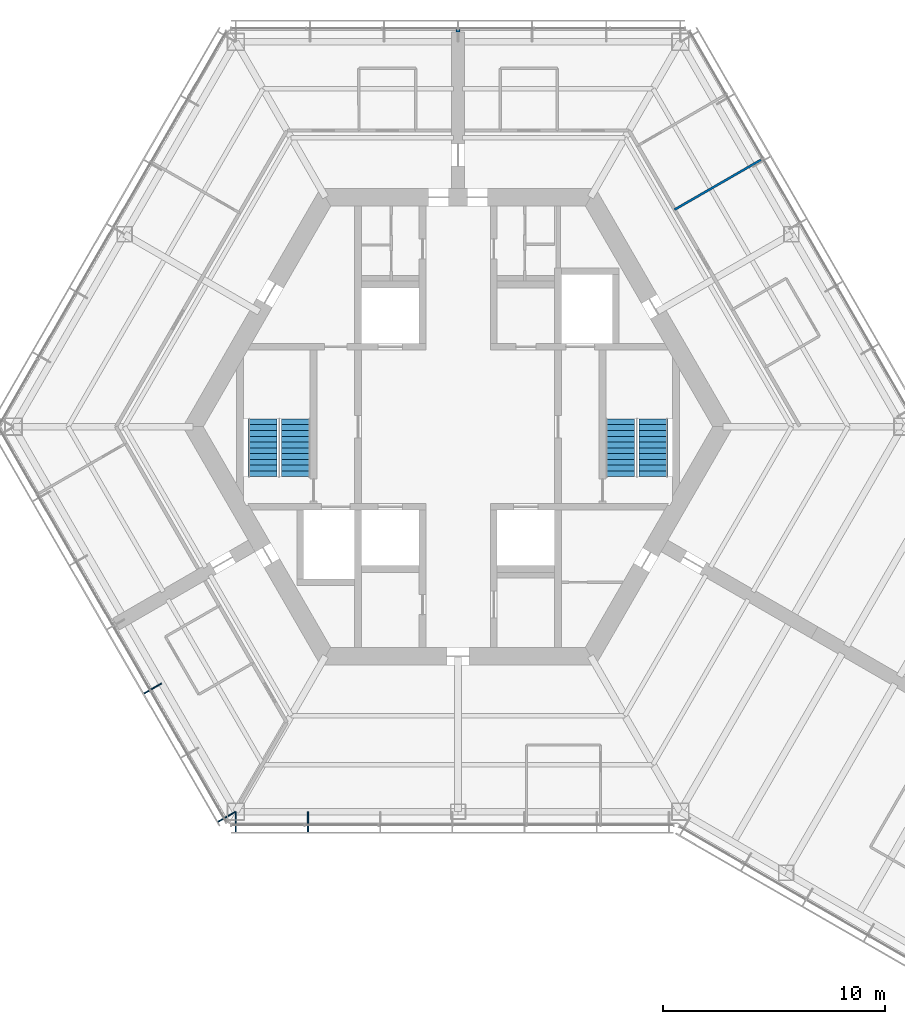
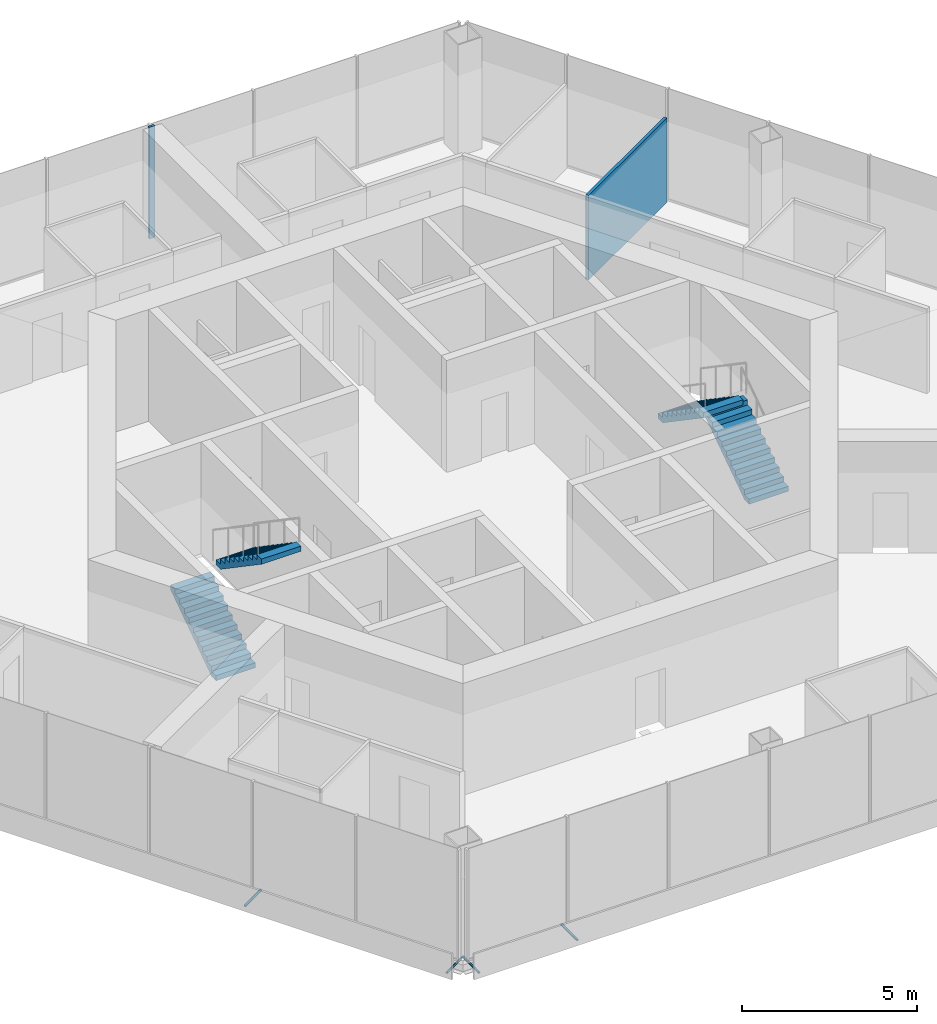
# One storey, part 13 of 15: 4 discrete accessories, 4 stair flights, 2 walls, 2 elements without a shape of their own.
"""IFC4 building model written with IfcOpenShell, lengths in metres."""

from ifc_helpers import new_model, si_unit, direction, frame, frame_2d, origin, origin_2d, place, context, subcontext, project, spatial, polyline, rectangle, hollow_circle, outline, extrude, material, layer, layer_set, material_profile, profile_set, type_object, element, aggregate, save


model = new_model("IFC4")

# Units and contexts
model_context = context("Model", 3, precision=1e-05, world=origin(), true_north=direction((0.0, 1.0)))
body_context = subcontext(model_context, "Body", "Model", "MODEL_VIEW")
ifc_project = project(units=[si_unit("LENGTHUNIT", "METRE"), si_unit("AREAUNIT", "SQUARE_METRE"), si_unit("VOLUMEUNIT", "CUBIC_METRE"), si_unit("PLANEANGLEUNIT", "RADIAN"), si_unit("MASSUNIT", "GRAM", prefix="KILO")], contexts=[model_context])

# Site, building, storey
site_placement = place(None, origin())
site = spatial("IfcSite", under=ifc_project, at=site_placement, CompositionType="ELEMENT")
building_placement = place(site_placement, origin())
building = spatial("IfcBuilding", under=site, at=building_placement, Name="Kasaneha Research Tower", CompositionType="ELEMENT")
storey_placement = place(building_placement, frame((0.0, 0.0, 244.0)))
storey = spatial("IfcBuildingStorey", under=building, at=storey_placement, Name="L61", CompositionType="ELEMENT", Elevation=244.0)

# Walls
ifc_material_1 = material(Name="Gypsum board on steel studs, one layer each side", Category="steel")
ifc_layer_1 = layer(ifc_material_1, 0.10009765625)
ifc_layer_set_1 = layer_set([ifc_layer_1], Name="Office partition 100")
wall_type_1 = type_object("IfcWallType", Name="Office partition 100", PredefinedType="PARTITIONING", material=ifc_layer_set_1)
wall_1_placement = place(storey_placement, frame((13.623291015625, 12.00439453125, 0.0), z_axis=(0.0, 0.0, 1.0), x_axis=(-0.866535947524, -0.499114667835, 0.0)))
element("IfcWall", 1, at=wall_1_placement, inside=storey, type_object=wall_type_1, Name="Office partition FAE15 L61", PredefinedType="PARTITIONING", context=body_context, shape_type="SweptSolid", body=[
    extrude(rectangle(XDim=4.47509765625, YDim=0.10009765625, at=frame_2d((2.237548828125, 0.0))), origin(), (0.0, 0.0, 1.0), 2.949951171875),
])
ifc_material_2 = material(Name="Gypsum board on steel studs, two layers each side", Category="steel")
ifc_layer_2 = layer(ifc_material_2, 0.175048828125)
ifc_layer_set_2 = layer_set([ifc_layer_2], Name="Tenancy fire partition 175")
wall_type_2 = type_object("IfcWallType", Name="Tenancy fire partition 175", PredefinedType="PARTITIONING", material=ifc_layer_set_2)
wall_2_placement = place(storey_placement, frame((0.0, 17.7705078125, 0.0), z_axis=(0.0, 0.0, 1.0), x_axis=(0.0, 1.0, 0.0)))
element("IfcWall", 2, at=wall_2_placement, inside=storey, type_object=wall_type_2, Name="Spine wall closer SW4-600 L61", PredefinedType="PARTITIONING", context=body_context, shape_type="SweptSolid", body=[
    extrude(rectangle(XDim=0.0849609375, YDim=0.175048828125, at=frame_2d((0.04248046875, 0.0))), origin(), (0.0, 0.0, 1.0), 3.89990234375),
])

# Stair, stair flights
ifc_material_3 = material(Name="Concrete Fc24", Category="concrete")
stair_type = type_object("IfcStairType", Name="Half-turn stair 22 risers", PredefinedType="HALF_TURN_STAIR", material=ifc_material_3)
stair_1_placement = place(storey_placement, origin())
stair_1 = element("IfcStair", 3, at=stair_1_placement, inside=storey, type_object=stair_type, Name="Stair 1 L61", PredefinedType="HALF_TURN_STAIR")
ifc_material_4 = material(Name="Concrete Fc24", Category="concrete")
stair_flight_type = type_object("IfcStairFlightType", Name="Stair flight 11 risers 177.3", PredefinedType="STRAIGHT", material=ifc_material_4)
stair_flight_1_placement = place(storey_placement, frame((8.800048828125, -2.25, 0.0), z_axis=(0.0, 0.0, 1.0), x_axis=(0.0, 1.0, 0.0)))
stair_flight_1 = element("IfcStairFlight", 4, at=stair_flight_1_placement, type_object=stair_flight_type, Name="ST1-22R flight 1", NumberOfRisers=11, NumberOfTreads=10, PredefinedType="STRAIGHT", RiserHeight=0.177272727, TreadLength=0.26, context=body_context, shape_type="SweptSolid", body=[
    extrude(outline(polyline([(0.0, 0.0), (0.0, 0.17724609375), (0.260009765625, 0.17724609375), (0.260009765625, 0.3544921875), (0.52001953125, 0.3544921875), (0.52001953125, 0.53173828125), (0.780029296875, 0.53173828125), (0.780029296875, 0.708984375), (1.0400390625, 0.708984375), (1.0400390625, 0.886474609375), (1.300048828125, 0.886474609375), (1.300048828125, 1.063720703125), (1.56005859375, 1.063720703125), (1.56005859375, 1.240966796875), (1.820068359375, 1.240966796875), (1.820068359375, 1.418212890625), (2.080078125, 1.418212890625), (2.080078125, 1.595458984375), (2.340087890625, 1.595458984375), (2.340087890625, 1.772705078125), (2.60009765625, 1.772705078125), (2.60009765625, 1.949951171875), (2.60009765625, 1.59130859375), (0.26611328125, 0.0), (0.0, 0.0)])), frame((0.0, 0.64990234375, 0.0), z_axis=(0.0, -1.0, 0.0), x_axis=(1.0, 0.0, 0.0)), (0.0, 0.0, 1.0), 1.300048828125),
])
stair_flight_2_placement = place(storey_placement, frame((7.300048828125, 0.35009765625, 1.949951171875), z_axis=(0.0, 0.0, 1.0), x_axis=(0.0, -1.0, 0.0)))
stair_flight_2 = element("IfcStairFlight", 5, at=stair_flight_2_placement, type_object=stair_flight_type, Name="ST1-22R flight 2", NumberOfRisers=11, NumberOfTreads=10, PredefinedType="STRAIGHT", RiserHeight=0.177272727, TreadLength=0.26, context=body_context, shape_type="SweptSolid", body=[
    extrude(outline(polyline([(0.0, 0.0), (0.0, 0.17724609375), (0.260009765625, 0.17724609375), (0.260009765625, 0.3544921875), (0.52001953125, 0.3544921875), (0.52001953125, 0.53173828125), (0.780029296875, 0.53173828125), (0.780029296875, 0.708984375), (1.0400390625, 0.708984375), (1.0400390625, 0.886474609375), (1.300048828125, 0.886474609375), (1.300048828125, 1.063720703125), (1.56005859375, 1.063720703125), (1.56005859375, 1.240966796875), (1.820068359375, 1.240966796875), (1.820068359375, 1.418212890625), (2.080078125, 1.418212890625), (2.080078125, 1.595458984375), (2.340087890625, 1.595458984375), (2.340087890625, 1.772705078125), (2.60009765625, 1.772705078125), (2.60009765625, 1.949951171875), (2.60009765625, 1.59130859375), (0.26611328125, 0.0), (0.0, 0.0)])), frame((0.0, 0.64990234375, 0.0), z_axis=(0.0, -1.0, 0.0), x_axis=(1.0, 0.0, 0.0)), (0.0, 0.0, 1.0), 1.300048828125),
])
aggregate(stair_1, [stair_flight_1, stair_flight_2])

stair_2_placement = place(storey_placement, origin())
stair_2 = element("IfcStair", 6, at=stair_2_placement, inside=storey, type_object=stair_type, Name="Stair 2 L61", PredefinedType="HALF_TURN_STAIR")
stair_flight_3_placement = place(storey_placement, frame((-8.800048828125, -2.25, 0.0), z_axis=(0.0, 0.0, 1.0), x_axis=(0.0, 1.0, 0.0)))
stair_flight_3 = element("IfcStairFlight", 7, at=stair_flight_3_placement, type_object=stair_flight_type, Name="ST2-22R flight 1", NumberOfRisers=11, NumberOfTreads=10, PredefinedType="STRAIGHT", RiserHeight=0.177272727, TreadLength=0.26, context=body_context, shape_type="SweptSolid", body=[
    extrude(outline(polyline([(0.0, 0.0), (0.0, 0.17724609375), (0.260009765625, 0.17724609375), (0.260009765625, 0.3544921875), (0.52001953125, 0.3544921875), (0.52001953125, 0.53173828125), (0.780029296875, 0.53173828125), (0.780029296875, 0.708984375), (1.0400390625, 0.708984375), (1.0400390625, 0.886474609375), (1.300048828125, 0.886474609375), (1.300048828125, 1.063720703125), (1.56005859375, 1.063720703125), (1.56005859375, 1.240966796875), (1.820068359375, 1.240966796875), (1.820068359375, 1.418212890625), (2.080078125, 1.418212890625), (2.080078125, 1.595458984375), (2.340087890625, 1.595458984375), (2.340087890625, 1.772705078125), (2.60009765625, 1.772705078125), (2.60009765625, 1.949951171875), (2.60009765625, 1.59130859375), (0.26611328125, 0.0), (0.0, 0.0)])), frame((0.0, 0.64990234375, 0.0), z_axis=(0.0, -1.0, 0.0), x_axis=(1.0, 0.0, 0.0)), (0.0, 0.0, 1.0), 1.300048828125),
])
stair_flight_4_placement = place(storey_placement, frame((-7.300048828125, 0.35009765625, 1.949951171875), z_axis=(0.0, 0.0, 1.0), x_axis=(0.0, -1.0, 0.0)))
stair_flight_4 = element("IfcStairFlight", 8, at=stair_flight_4_placement, type_object=stair_flight_type, Name="ST2-22R flight 2", NumberOfRisers=11, NumberOfTreads=10, PredefinedType="STRAIGHT", RiserHeight=0.177272727, TreadLength=0.26, context=body_context, shape_type="SweptSolid", body=[
    extrude(outline(polyline([(0.0, 0.0), (0.0, 0.17724609375), (0.260009765625, 0.17724609375), (0.260009765625, 0.3544921875), (0.52001953125, 0.3544921875), (0.52001953125, 0.53173828125), (0.780029296875, 0.53173828125), (0.780029296875, 0.708984375), (1.0400390625, 0.708984375), (1.0400390625, 0.886474609375), (1.300048828125, 0.886474609375), (1.300048828125, 1.063720703125), (1.56005859375, 1.063720703125), (1.56005859375, 1.240966796875), (1.820068359375, 1.240966796875), (1.820068359375, 1.418212890625), (2.080078125, 1.418212890625), (2.080078125, 1.595458984375), (2.340087890625, 1.595458984375), (2.340087890625, 1.772705078125), (2.60009765625, 1.772705078125), (2.60009765625, 1.949951171875), (2.60009765625, 1.59130859375), (0.26611328125, 0.0), (0.0, 0.0)])), frame((0.0, 0.64990234375, 0.0), z_axis=(0.0, -1.0, 0.0), x_axis=(1.0, 0.0, 0.0)), (0.0, 0.0, 1.0), 1.300048828125),
])
aggregate(stair_2, [stair_flight_3, stair_flight_4])

# Discrete accessories
ifc_material_5 = material(Name="Steel STK400", Category="steel")
ifc_material_profile = material_profile(ifc_material_5, hollow_circle(Radius=0.0380859375, WallThickness=0.00390625, at=origin_2d()), Name="CHS-76.3x4.0")
ifc_profile_set = profile_set([ifc_material_profile], Name="Steel STK400")
discrete_accessory_type = type_object("IfcDiscreteAccessoryType", Name="Screen bracket CHS-76.3x4.0", PredefinedType="BRACKET", material=ifc_profile_set)
discrete_accessory_1_placement = place(storey_placement, frame((-13.333984375, -11.5458984375, -0.300048828125), z_axis=(-0.866013213425, -0.500021113727, 0.0), x_axis=(0.500021113727, -0.866013213425, 0.0)))
element("IfcDiscreteAccessory", 9, at=discrete_accessory_1_placement, inside=storey, type_object=discrete_accessory_type, Name="Screen bracket 5", PredefinedType="BRACKET", context=body_context, shape_type="SweptSolid", body=[
    extrude(hollow_circle(Radius=0.0380859375, WallThickness=0.00390625, at=origin_2d()), origin(), (0.0, 0.0, 1.0), 0.919921875),
])
discrete_accessory_2_placement = place(storey_placement, frame((-10.001708984375, -17.3173828125, -0.300048828125), z_axis=(-0.866079547155, -0.499906209203, 0.0), x_axis=(0.499906209203, -0.866079547155, 0.0)))
element("IfcDiscreteAccessory", 10, at=discrete_accessory_2_placement, inside=storey, type_object=discrete_accessory_type, Name="Screen bracket 7", PredefinedType="BRACKET", context=body_context, shape_type="SweptSolid", body=[
    extrude(hollow_circle(Radius=0.0380859375, WallThickness=0.00390625, at=origin_2d()), origin(), (0.0, 0.0, 1.0), 0.920166015625),
])
for number, where, z_axis, x_axis, name in (
    (11, (-9.996337890625, -17.320556640625, -0.300048828125), (0.0, -1.0, 0.0), (1.0, 0.0, 0.0), "Screen bracket 1"),
    (12, (-6.748779296875, -17.320556640625, -0.300048828125), (0.0, -1.0, 0.0), (1.0, 0.0, 0.0), "Screen bracket 2"),
):
    element("IfcDiscreteAccessory", number, at=place(storey_placement, frame(where, z_axis=z_axis, x_axis=x_axis)), inside=storey, type_object=discrete_accessory_type, Name=name, PredefinedType="BRACKET", context=body_context, shape_type="SweptSolid", body=[
        extrude(hollow_circle(Radius=0.0380859375, WallThickness=0.00390625, at=origin_2d()), origin(), (0.0, 0.0, 1.0), 0.919921875),
    ])

save(model, "model.ifc")
